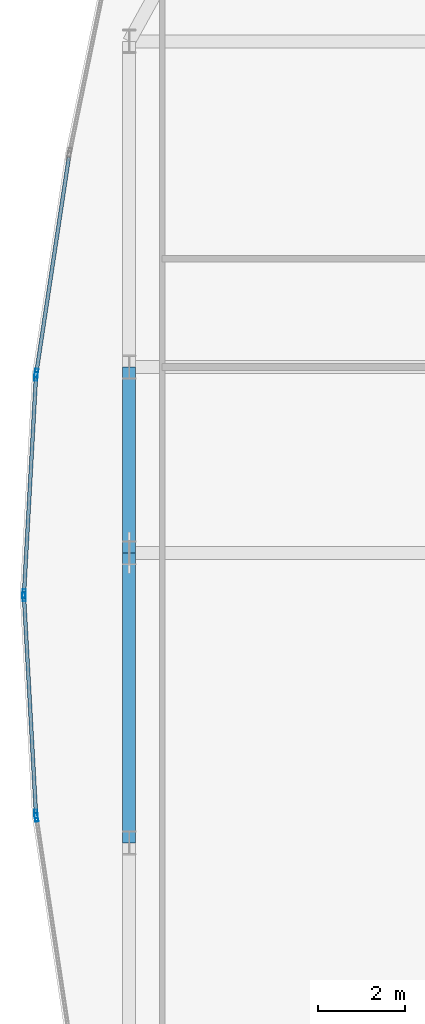
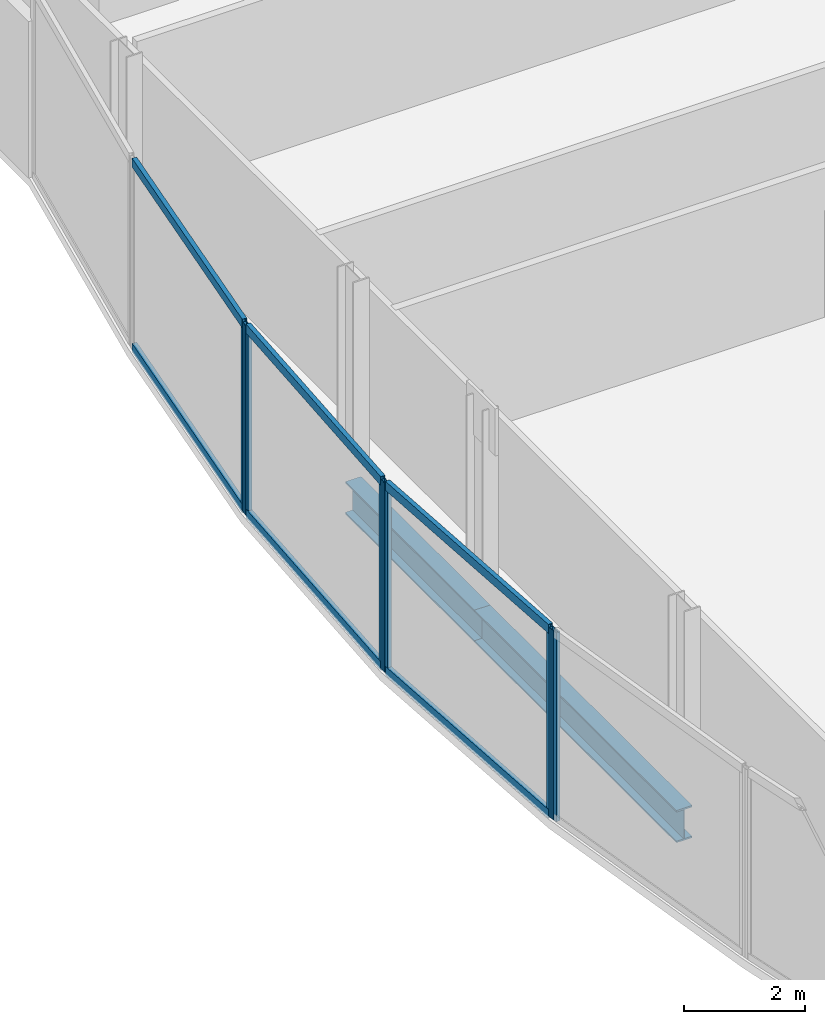
# One storey, part 10 of 36: 12 members, 2 beams, 4 elements without a shape of their own.
"""IFC4 building model written with IfcOpenShell, lengths in metres."""

from ifc_helpers import new_model, si_unit, direction, frame, origin, origin_2d, place, context, subcontext, project, spatial, hollow_rectangle, i_section, extrude, material, material_profile, profile_set, type_object, element, aggregate, save


model = new_model("IFC4")

# Units and contexts
model_context = context("Model", 3, precision=1e-05, world=origin(), true_north=direction((0.0, 1.0)))
body_context = subcontext(model_context, "Body", "Model", "MODEL_VIEW")
ifc_project = project(units=[si_unit("LENGTHUNIT", "METRE"), si_unit("AREAUNIT", "SQUARE_METRE"), si_unit("VOLUMEUNIT", "CUBIC_METRE"), si_unit("PLANEANGLEUNIT", "RADIAN"), si_unit("MASSUNIT", "GRAM", prefix="KILO")], contexts=[model_context])

# Site, building, storey
site_placement = place(None, origin())
site = spatial("IfcSite", under=ifc_project, at=site_placement, CompositionType="ELEMENT")
building_placement = place(site_placement, origin())
building = spatial("IfcBuilding", under=site, at=building_placement, Name="Khoronbel Lancet Exchange", CompositionType="ELEMENT")
storey_placement = place(building_placement, frame((0.0, 0.0, 57.800048828125)))
storey = spatial("IfcBuildingStorey", under=building, at=storey_placement, Name="L13", CompositionType="ELEMENT", Elevation=57.800048828125)

# Beams
ifc_material_1 = material(Name="Steel S355", Category="steel")
ifc_material_profile_1 = material_profile(ifc_material_1, i_section(OverallWidth=0.300048828125, OverallDepth=0.64990234375, WebThickness=0.01611328125, FlangeThickness=0.031005859375, at=origin_2d()), Name="HEB 650")
ifc_profile_set_1 = profile_set([ifc_material_profile_1], Name="Steel S355")
beam_type = type_object("IfcBeamType", Name="BM-BSP1", PredefinedType="SPANDREL", material=ifc_profile_set_1)
beam_1_placement = place(storey_placement, frame((1.27001953125, 35.699951171875, -0.505126953125), z_axis=(0.0, -1.0, 0.0), x_axis=(1.0, 0.0, 0.0)))
element("IfcBeam", 1, at=beam_1_placement, inside=storey, type_object=beam_type, Name="Level L13 perimeter spandrel beam SP18", PredefinedType="SPANDREL", context=body_context, shape_type="SweptSolid", body=[
    extrude(i_section(OverallWidth=0.300048828125, OverallDepth=0.64990234375, WebThickness=0.01611328125, FlangeThickness=0.031005859375, at=origin_2d()), origin(), (0.0, 0.0, 1.0), 4.27490234375),
])
beam_2_placement = place(storey_placement, frame((1.27001953125, 31.425048828125, -0.505126953125), z_axis=(0.0, -1.0, 0.0), x_axis=(1.0, 0.0, 0.0)))
element("IfcBeam", 2, at=beam_2_placement, inside=storey, type_object=beam_type, Name="Level L13 perimeter spandrel beam SP19", PredefinedType="SPANDREL", context=body_context, shape_type="SweptSolid", body=[
    extrude(i_section(OverallWidth=0.300048828125, OverallDepth=0.64990234375, WebThickness=0.01611328125, FlangeThickness=0.031005859375, at=origin_2d()), origin(), (0.0, 0.0, 1.0), 6.675048828125),
])

# Curtain wall, member
ifc_material_2 = material(Name="Low-E Solar Control Insulating Glass", Category="glass")
curtain_wall_type = type_object("IfcCurtainWallType", Name="CW-4", PredefinedType="NOTDEFINED", material=ifc_material_2)
curtain_wall_1_placement = place(storey_placement, origin())
curtain_wall_1 = element("IfcCurtainWall", 3, at=curtain_wall_1_placement, inside=storey, type_object=curtain_wall_type, Name="Unitised curtain wall CW-L13-E05", PredefinedType="NOTDEFINED")
ifc_material_3 = material(Name="Bronze-Anodised Aluminium 6063-T6", Category="aluminium")
ifc_material_profile_2 = material_profile(ifc_material_3, hollow_rectangle(XDim=0.074951171875, YDim=0.199951171875, WallThickness=0.0048828125, at=origin_2d()), Name="ALU MULLION 75x200")
ifc_profile_set_2 = profile_set([ifc_material_profile_2], Name="Bronze-Anodised Aluminium 6063-T6")
member_type_1 = type_object("IfcMemberType", Name="MEM-CWM2", PredefinedType="MULLION", material=ifc_profile_set_2)
member_1_placement = place(storey_placement, frame((-0.867919921875, 25.3388671875, 0.0), z_axis=(0.0, 0.0, 1.0), x_axis=(-0.988825213041, -0.149079502463, 0.0)))
member_1 = element("IfcMember", 4, at=member_1_placement, type_object=member_type_1, Name="CW4 mullion 2", PredefinedType="MULLION", context=body_context, shape_type="SweptSolid", body=[
    extrude(hollow_rectangle(XDim=0.074951171875, YDim=0.199951171875, WallThickness=0.0048828125, at=origin_2d()), origin(), (0.0, 0.0, 1.0), 3.820068359375),
])
aggregate(curtain_wall_1, [member_1])

# Curtain wall, members
curtain_wall_2_placement = place(storey_placement, origin())
curtain_wall_2 = element("IfcCurtainWall", 5, at=curtain_wall_2_placement, inside=storey, type_object=curtain_wall_type, Name="Unitised curtain wall CW-L13-E06", PredefinedType="NOTDEFINED")
member_2_placement = place(storey_placement, frame((-0.875732421875, 25.413330078125, 0.0), z_axis=(0.0, 0.0, 1.0), x_axis=(-0.998480930794, -0.055098374212, 0.0)))
member_2 = element("IfcMember", 6, at=member_2_placement, type_object=member_type_1, Name="CW4 mullion 1", PredefinedType="MULLION", context=body_context, shape_type="SweptSolid", body=[
    extrude(hollow_rectangle(XDim=0.074951171875, YDim=0.199951171875, WallThickness=0.0048828125, at=origin_2d()), origin(), (0.0, 0.0, 1.0), 3.820068359375),
])
member_3_placement = place(storey_placement, frame((-1.151611328125, 30.41259765625, 0.0), z_axis=(0.0, 0.0, 1.0), x_axis=(-0.998480930794, -0.055098374212, 0.0)))
member_3 = element("IfcMember", 7, at=member_3_placement, type_object=member_type_1, Name="CW4 mullion 2", PredefinedType="MULLION", context=body_context, shape_type="SweptSolid", body=[
    extrude(hollow_rectangle(XDim=0.074951171875, YDim=0.199951171875, WallThickness=0.0048828125, at=origin_2d()), origin(), (0.0, 0.0, 1.0), 3.820068359375),
])

curtain_wall_3_placement = place(storey_placement, origin())
curtain_wall_3 = element("IfcCurtainWall", 8, at=curtain_wall_3_placement, inside=storey, type_object=curtain_wall_type, Name="Unitised curtain wall CW-L13-E07", PredefinedType="NOTDEFINED")
member_4_placement = place(storey_placement, frame((-1.151611328125, 30.487548828125, 0.0), z_axis=(0.0, 0.0, 1.0), x_axis=(-0.998480930794, 0.055098374212, 0.0)))
member_4 = element("IfcMember", 9, at=member_4_placement, type_object=member_type_1, Name="CW4 mullion 1", PredefinedType="MULLION", context=body_context, shape_type="SweptSolid", body=[
    extrude(hollow_rectangle(XDim=0.074951171875, YDim=0.199951171875, WallThickness=0.0048828125, at=origin_2d()), origin(), (0.0, 0.0, 1.0), 3.820068359375),
])
member_5_placement = place(storey_placement, frame((-0.875732421875, 35.486572265625, 0.0), z_axis=(0.0, 0.0, 1.0), x_axis=(-0.998480930794, 0.055098374212, 0.0)))
member_5 = element("IfcMember", 10, at=member_5_placement, type_object=member_type_1, Name="CW4 mullion 2", PredefinedType="MULLION", context=body_context, shape_type="SweptSolid", body=[
    extrude(hollow_rectangle(XDim=0.074951171875, YDim=0.199951171875, WallThickness=0.0048828125, at=origin_2d()), origin(), (0.0, 0.0, 1.0), 3.820068359375),
])

# Curtain wall, member
curtain_wall_4_placement = place(storey_placement, origin())
curtain_wall_4 = element("IfcCurtainWall", 11, at=curtain_wall_4_placement, inside=storey, type_object=curtain_wall_type, Name="Unitised curtain wall CW-L13-E08", PredefinedType="NOTDEFINED")
member_6_placement = place(storey_placement, frame((-0.867919921875, 35.561279296875, 0.0), z_axis=(0.0, 0.0, 1.0), x_axis=(-0.988825213041, 0.149079502463, 0.0)))
member_6 = element("IfcMember", 12, at=member_6_placement, type_object=member_type_1, Name="CW4 mullion 1", PredefinedType="MULLION", context=body_context, shape_type="SweptSolid", body=[
    extrude(hollow_rectangle(XDim=0.074951171875, YDim=0.199951171875, WallThickness=0.0048828125, at=origin_2d()), origin(), (0.0, 0.0, 1.0), 3.820068359375),
])

# Member
ifc_material_profile_3 = material_profile(ifc_material_3, hollow_rectangle(XDim=0.0849609375, YDim=0.179931640625, WallThickness=0.0048828125, at=origin_2d()), Name="ALU TRANSOM 85x180")
ifc_profile_set_3 = profile_set([ifc_material_profile_3], Name="Bronze-Anodised Aluminium 6063-T6")
member_type_2 = type_object("IfcMemberType", Name="MEM-CWT1", PredefinedType="USERDEFINED", material=ifc_profile_set_3)
member_7_placement = place(storey_placement, frame((-0.877685546875, 25.45068359375, 0.04248046875), z_axis=(-0.055097141877, 0.998480998796, 0.0), x_axis=(-0.998480998796, -0.055097141877, 0.0)))
member_7 = element("IfcMember", 13, at=member_7_placement, type_object=member_type_2, Name="CW4 transom 1.1", ObjectType="TRANSOM", PredefinedType="USERDEFINED", context=body_context, shape_type="SweptSolid", body=[
    extrude(hollow_rectangle(XDim=0.0849609375, YDim=0.179931640625, WallThickness=0.0048828125, at=origin_2d()), origin(), (0.0, 0.0, 1.0), 4.931884765625),
])

member_8_placement = place(storey_placement, frame((-0.877685546875, 25.45068359375, 3.77734375), z_axis=(-0.055097141877, 0.998480998796, 0.0), x_axis=(-0.998480998796, -0.055097141877, 0.0)))
member_8 = element("IfcMember", 14, at=member_8_placement, type_object=member_type_2, Name="CW4 transom 1.2", ObjectType="TRANSOM", PredefinedType="USERDEFINED", context=body_context, shape_type="SweptSolid", body=[
    extrude(hollow_rectangle(XDim=0.0849609375, YDim=0.179931640625, WallThickness=0.0048828125, at=origin_2d()), origin(), (0.0, 0.0, 1.0), 4.931884765625),
])

aggregate(curtain_wall_2, [member_2, member_3, member_7, member_8])

member_9_placement = place(storey_placement, frame((-1.1494140625, 30.52490234375, 0.04248046875), z_axis=(0.055097141877, 0.998480998796, 0.0), x_axis=(-0.998480998796, 0.055097141877, 0.0)))
member_9 = element("IfcMember", 15, at=member_9_placement, type_object=member_type_2, Name="CW4 transom 1.1", ObjectType="TRANSOM", PredefinedType="USERDEFINED", context=body_context, shape_type="SweptSolid", body=[
    extrude(hollow_rectangle(XDim=0.0849609375, YDim=0.179931640625, WallThickness=0.0048828125, at=origin_2d()), origin(), (0.0, 0.0, 1.0), 4.931884765625),
])

member_10_placement = place(storey_placement, frame((-1.1494140625, 30.52490234375, 3.77734375), z_axis=(0.055097141877, 0.998480998796, 0.0), x_axis=(-0.998480998796, 0.055097141877, 0.0)))
member_10 = element("IfcMember", 16, at=member_10_placement, type_object=member_type_2, Name="CW4 transom 1.2", ObjectType="TRANSOM", PredefinedType="USERDEFINED", context=body_context, shape_type="SweptSolid", body=[
    extrude(hollow_rectangle(XDim=0.0849609375, YDim=0.179931640625, WallThickness=0.0048828125, at=origin_2d()), origin(), (0.0, 0.0, 1.0), 4.931884765625),
])

aggregate(curtain_wall_3, [member_4, member_5, member_9, member_10])

member_11_placement = place(storey_placement, frame((-0.8623046875, 35.59814453125, 0.04248046875), z_axis=(0.149049382803, 0.98882975354, 0.0), x_axis=(-0.98882975354, 0.149049382803, 0.0)))
member_11 = element("IfcMember", 17, at=member_11_placement, type_object=member_type_2, Name="CW4 transom 1.1", ObjectType="TRANSOM", PredefinedType="USERDEFINED", context=body_context, shape_type="SweptSolid", body=[
    extrude(hollow_rectangle(XDim=0.0849609375, YDim=0.179931640625, WallThickness=0.0048828125, at=origin_2d()), origin(), (0.0, 0.0, 1.0), 4.984375),
])

member_12_placement = place(storey_placement, frame((-0.8623046875, 35.59814453125, 3.77734375), z_axis=(0.149049382803, 0.98882975354, 0.0), x_axis=(-0.98882975354, 0.149049382803, 0.0)))
member_12 = element("IfcMember", 18, at=member_12_placement, type_object=member_type_2, Name="CW4 transom 1.2", ObjectType="TRANSOM", PredefinedType="USERDEFINED", context=body_context, shape_type="SweptSolid", body=[
    extrude(hollow_rectangle(XDim=0.0849609375, YDim=0.179931640625, WallThickness=0.0048828125, at=origin_2d()), origin(), (0.0, 0.0, 1.0), 4.984375),
])

aggregate(curtain_wall_4, [member_6, member_11, member_12])

save(model, "model.ifc")
